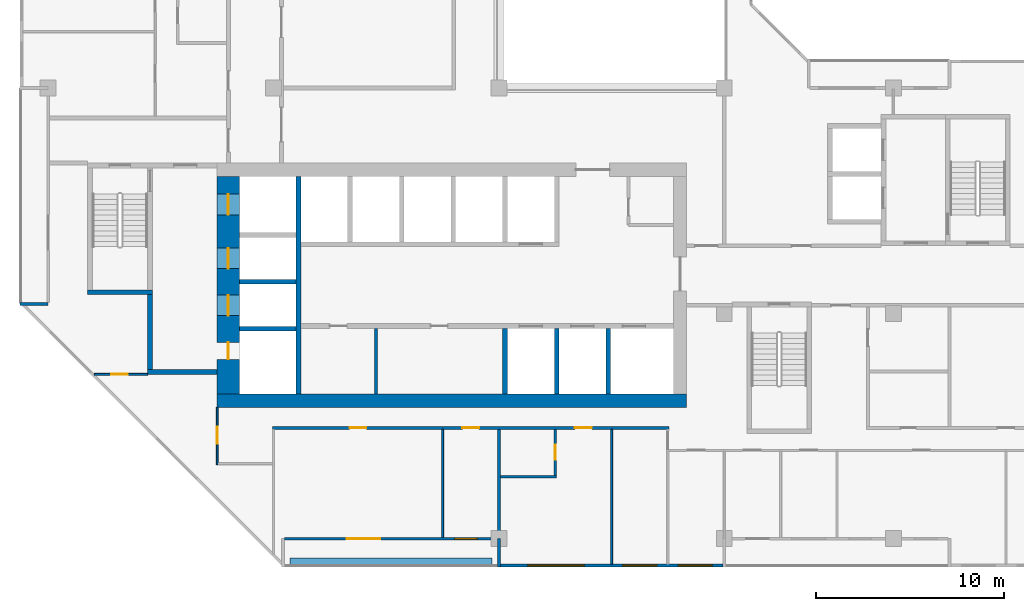
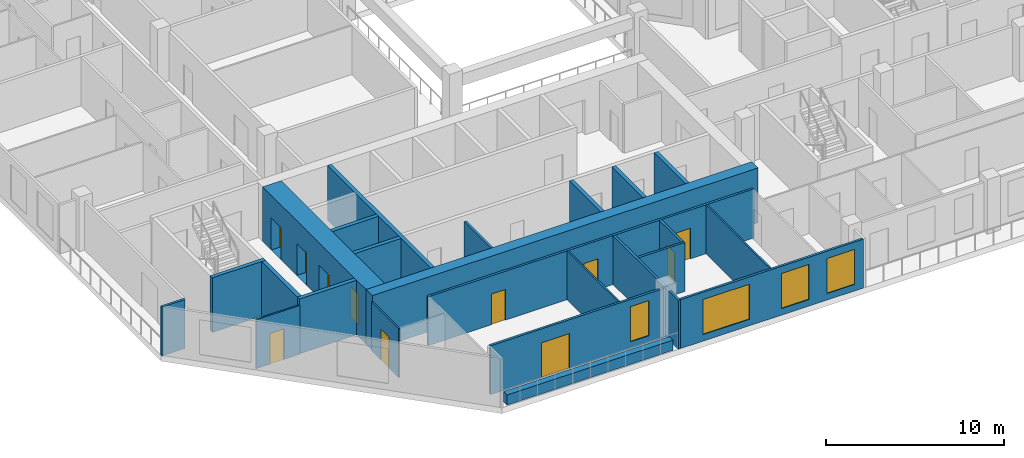
# One storey, part 4 of 14: 25 walls, 11 doors, 4 windows, 15 openings.
"""IFC4 building model written with IfcOpenShell, lengths in metres."""

from ifc_helpers import new_model, si_unit, direction, frame, frame_2d, origin, place, context, subcontext, project, spatial, rectangle, extrude, material, layer, layer_set, type_object, element, fill, save


model = new_model("IFC4")

# Units and contexts
model_context = context("Model", 3, precision=1e-05, world=origin(), true_north=direction((0.0, 1.0)))
body_context = subcontext(model_context, "Body", "Model", "MODEL_VIEW")
ifc_project = project(units=[si_unit("LENGTHUNIT", "METRE"), si_unit("AREAUNIT", "SQUARE_METRE"), si_unit("VOLUMEUNIT", "CUBIC_METRE"), si_unit("PLANEANGLEUNIT", "RADIAN"), si_unit("MASSUNIT", "GRAM", prefix="KILO")], contexts=[model_context])

# Site, building, storey
site_placement = place(None, origin())
site = spatial("IfcSite", under=ifc_project, at=site_placement, CompositionType="ELEMENT")
building_placement = place(site_placement, origin())
building = spatial("IfcBuilding", under=site, at=building_placement, Name="Chenar Terraces", CompositionType="ELEMENT")
storey_placement = place(building_placement, frame((0.0, 0.0, 230.39990234375)))
storey = spatial("IfcBuildingStorey", under=building, at=storey_placement, Name="L54", CompositionType="ELEMENT", Elevation=230.39990234375)

# Wall
ifc_material_1 = material(Name="Gypsum board on steel studs", Category="steel")
ifc_layer_1 = layer(ifc_material_1, 0.14990234375)
ifc_layer_set_1 = layer_set([ifc_layer_1], Name="Gypsum board on steel studs")
wall_type_1 = type_object("IfcWallType", Name="Core partition 150 gypsum board", PredefinedType="PARTITIONING", material=ifc_layer_set_1)
wall_1_placement = place(storey_placement, frame((17.449951171875, 7.699951171875, 0.0), z_axis=(0.0, 0.0, 1.0), x_axis=(0.0, 1.0, 0.0)))
element("IfcWall", 1, at=wall_1_placement, inside=storey, type_object=wall_type_1, Name="Core partition CP1 freed bay wall", PredefinedType="PARTITIONING", context=body_context, shape_type="SweptSolid", body=[
    extrude(rectangle(XDim=3.5, YDim=0.14990234375, at=frame_2d((1.75, 0.0))), origin(), (0.0, 0.0, 1.0), 3.35009765625),
])

# Wall, openings, doors
ifc_material_2 = material(Name="Concrete C60/75", Category="concrete")
ifc_layer_2 = layer(ifc_material_2, 1.199951171875)
ifc_layer_set_2 = layer_set([ifc_layer_2], Name="Concrete C60/75")
wall_type_2 = type_object("IfcWallType", Name="Core wall 1200 Concrete C60/75", PredefinedType="SHEAR", material=ifc_layer_set_2)
wall_2_placement = place(storey_placement, frame((9.60009765625, 7.699951171875, 0.0), z_axis=(0.0, 0.0, 1.0), x_axis=(0.0, 1.0, 0.0)))
wall_2 = element("IfcWall", 2, at=wall_2_placement, inside=storey, type_object=wall_type_2, Name="Core wall W L54", PredefinedType="SHEAR", context=body_context, shape_type="SweptSolid", body=[
    extrude(rectangle(XDim=11.60009765625, YDim=1.199951171875, at=frame_2d((5.800048828125, 0.0))), origin(), (0.0, 0.0, 1.0), 3.75),
])
opening_1_placement = place(wall_2_placement, frame((4.175048828125, 0.0, 0.0)))
opening_1 = element("IfcOpeningElement", 3, at=opening_1_placement, cuts=wall_2, Name="Opening DL54-LD5", PredefinedType="OPENING", context=body_context, shape_type="SweptSolid", body=[
    extrude(rectangle(XDim=1.10009765625, YDim=2.199951171875, at=frame_2d((0.550048828125, 1.10009765625))), frame((0.0, 0.60986328125, 0.0), z_axis=(0.0, -1.0, 0.0), x_axis=(1.0, 0.0, 0.0)), (0.0, 0.0, 1.0), 1.219970703125),
])
opening_2_placement = place(wall_2_placement, frame((6.675048828125, 0.0, 0.0)))
opening_2 = element("IfcOpeningElement", 4, at=opening_2_placement, cuts=wall_2, Name="Opening DL54-LD6", PredefinedType="OPENING", context=body_context, shape_type="SweptSolid", body=[
    extrude(rectangle(XDim=1.10009765625, YDim=2.199951171875, at=frame_2d((0.550048828125, 1.10009765625))), frame((0.0, 0.60986328125, 0.0), z_axis=(0.0, -1.0, 0.0), x_axis=(1.0, 0.0, 0.0)), (0.0, 0.0, 1.0), 1.219970703125),
])
opening_3_placement = place(wall_2_placement, frame((9.550048828125, 0.0, 0.0)))
opening_3 = element("IfcOpeningElement", 5, at=opening_3_placement, cuts=wall_2, Name="Opening DL54-LD7", PredefinedType="OPENING", context=body_context, shape_type="SweptSolid", body=[
    extrude(rectangle(XDim=1.10009765625, YDim=2.199951171875, at=frame_2d((0.550048828125, 1.10009765625))), frame((0.0, 0.60986328125, 0.0), z_axis=(0.0, -1.0, 0.0), x_axis=(1.0, 0.0, 0.0)), (0.0, 0.0, 1.0), 1.219970703125),
])
opening_4_placement = place(wall_2_placement, frame((1.85009765625, 0.0, 0.0)))
opening_4 = element("IfcOpeningElement", 6, at=opening_4_placement, cuts=wall_2, Name="Opening DL54-C4", PredefinedType="OPENING", context=body_context, shape_type="SweptSolid", body=[
    extrude(rectangle(XDim=0.89990234375, YDim=2.10009765625, at=frame_2d((0.449951171875, 1.050048828125))), frame((0.0, 0.60986328125, 0.0), z_axis=(0.0, -1.0, 0.0), x_axis=(1.0, 0.0, 0.0)), (0.0, 0.0, 1.0), 1.219970703125),
])
ifc_material_3 = material(Name="Stainless steel", Category="steel")
door_type_1 = type_object("IfcDoorType", Name="Lift landing door 1100 x 2200 sliding", OperationType="DOUBLE_DOOR_SLIDING", PredefinedType="DOOR", material=ifc_material_3)
door_1_placement = place(opening_1_placement, origin())
door_1 = element("IfcDoor", 7, at=door_1_placement, inside=storey, type_object=door_type_1, Name="Landing door S1", OperationType="DOUBLE_DOOR_SLIDING", OverallHeight=2.199951171875, OverallWidth=1.10009765625, PredefinedType="DOOR", context=body_context, shape_type="SweptSolid", body=[
    extrude(rectangle(XDim=1.10009765625, YDim=2.199951171875, at=frame_2d((0.550048828125, 1.10009765625))), frame((0.0, 0.02490234375, 0.0), z_axis=(0.0, -1.0, 0.0), x_axis=(1.0, 0.0, 0.0)), (0.0, 0.0, 1.0), 0.050048828125),
])
fill(opening_1, door_1)
door_2_placement = place(opening_2_placement, origin())
door_2 = element("IfcDoor", 8, at=door_2_placement, inside=storey, type_object=door_type_1, Name="Landing door F1", OperationType="DOUBLE_DOOR_SLIDING", OverallHeight=2.199951171875, OverallWidth=1.10009765625, PredefinedType="DOOR", context=body_context, shape_type="SweptSolid", body=[
    extrude(rectangle(XDim=1.10009765625, YDim=2.199951171875, at=frame_2d((0.550048828125, 1.10009765625))), frame((0.0, 0.02490234375, 0.0), z_axis=(0.0, -1.0, 0.0), x_axis=(1.0, 0.0, 0.0)), (0.0, 0.0, 1.0), 0.050048828125),
])
fill(opening_2, door_2)
door_3_placement = place(opening_3_placement, origin())
door_3 = element("IfcDoor", 9, at=door_3_placement, inside=storey, type_object=door_type_1, Name="Landing door F2", OperationType="DOUBLE_DOOR_SLIDING", OverallHeight=2.199951171875, OverallWidth=1.10009765625, PredefinedType="DOOR", context=body_context, shape_type="SweptSolid", body=[
    extrude(rectangle(XDim=1.10009765625, YDim=2.199951171875, at=frame_2d((0.550048828125, 1.10009765625))), frame((0.0, 0.02490234375, 0.0), z_axis=(0.0, -1.0, 0.0), x_axis=(1.0, 0.0, 0.0)), (0.0, 0.0, 1.0), 0.050048828125),
])
fill(opening_3, door_3)
ifc_material_4 = material(Name="Steel-framed fire-resisting door leaf", Category="steel")
door_type_2 = type_object("IfcDoorType", Name="Riser fire door FD60 900 x 2100", OperationType="SINGLE_SWING_LEFT", PredefinedType="DOOR", material=ifc_material_4)
door_4_placement = place(opening_4_placement, frame((0.89990234375, 0.0, 0.0), z_axis=(0.0, 0.0, 1.0), x_axis=(-1.0, 0.0, 0.0)))
door_4 = element("IfcDoor", 10, at=door_4_placement, inside=storey, type_object=door_type_2, Name="Riser door DL54-C4", OperationType="SINGLE_SWING_LEFT", OverallHeight=2.10009765625, OverallWidth=0.89990234375, PredefinedType="DOOR", context=body_context, shape_type="SweptSolid", body=[
    extrude(rectangle(XDim=0.89990234375, YDim=2.10009765625, at=frame_2d((0.449951171875, 1.050048828125))), frame((0.0, 0.02490234375, 0.0), z_axis=(0.0, -1.0, 0.0), x_axis=(1.0, 0.0, 0.0)), (0.0, 0.0, 1.0), 0.050048828125),
])
fill(opening_4, door_4)

# Walls
ifc_material_5 = material(Name="Concrete C60/75", Category="concrete")
ifc_layer_3 = layer(ifc_material_5, 0.25)
ifc_layer_set_3 = layer_set([ifc_layer_3], Name="Concrete C60/75")
wall_type_3 = type_object("IfcWallType", Name="Core wall 250 Concrete C60/75", PredefinedType="SHEAR", material=ifc_layer_set_3)
wall_3_placement = place(storey_placement, frame((13.324951171875, 7.699951171875, 0.0), z_axis=(0.0, 0.0, 1.0), x_axis=(0.0, 1.0, 0.0)))
element("IfcWall", 11, at=wall_3_placement, inside=storey, type_object=wall_type_3, Name="Core wall WI L54", PredefinedType="SHEAR", context=body_context, shape_type="SweptSolid", body=[
    extrude(rectangle(XDim=11.60009765625, YDim=0.25, at=frame_2d((5.800048828125, 0.0))), origin(), (0.0, 0.0, 1.0), 3.75),
])
for number, where, z_axis, x_axis, name in (
    (12, (10.199951171875, 11.175048828125, 0.0), (0.0, 0.0, 1.0), (1.0, 0.0, 0.0), "Core wall HW0 L54"),
    (13, (10.199951171875, 13.675048828125, 0.0), (0.0, 0.0, 1.0), (1.0, 0.0, 0.0), "Core wall HW1 L54"),
):
    element("IfcWall", number, at=place(storey_placement, frame(where, z_axis=z_axis, x_axis=x_axis)), inside=storey, type_object=wall_type_3, Name=name, PredefinedType="SHEAR", context=body_context, shape_type="SweptSolid", body=[
        extrude(rectangle(XDim=3.0, YDim=0.25, at=frame_2d((1.5, 0.0))), origin(), (0.0, 0.0, 1.0), 3.75),
    ])
for number, where, z_axis, x_axis, name in (
    (14, (24.324951171875, 7.699951171875, 0.0), (0.0, 0.0, 1.0), (0.0, 1.0, 0.0), "Core wall SS3 L54"),
    (15, (27.074951171875, 7.699951171875, 0.0), (0.0, 0.0, 1.0), (0.0, 1.0, 0.0), "Core wall SS4 L54"),
    (16, (29.824951171875, 7.699951171875, 0.0), (0.0, 0.0, 1.0), (0.0, 1.0, 0.0), "Core wall SS5 L54"),
):
    element("IfcWall", number, at=place(storey_placement, frame(where, z_axis=z_axis, x_axis=x_axis)), inside=storey, type_object=wall_type_3, Name=name, PredefinedType="SHEAR", context=body_context, shape_type="SweptSolid", body=[
        extrude(rectangle(XDim=3.5, YDim=0.25, at=frame_2d((1.75, 0.0))), origin(), (0.0, 0.0, 1.0), 3.75),
    ])
wall_4_placement = place(storey_placement, frame((2.10009765625, 13.125, 0.0), z_axis=(0.0, 0.0, 1.0), x_axis=(1.0, 0.0, 0.0)))
element("IfcWall", 17, at=wall_4_placement, inside=storey, type_object=wall_type_3, Name="Core wall ST1_S L54", PredefinedType="SHEAR", context=body_context, shape_type="SweptSolid", body=[
    extrude(rectangle(XDim=3.449951171875, YDim=0.25, at=frame_2d((1.72509765625, 0.0))), origin(), (0.0, 0.0, 1.0), 3.75),
])
wall_5_placement = place(storey_placement, frame((5.300048828125, 8.875, 0.0), z_axis=(0.0, 0.0, 1.0), x_axis=(1.0, 0.0, 0.0)))
element("IfcWall", 18, at=wall_5_placement, inside=storey, type_object=wall_type_3, Name="Core wall FFL_S L54", PredefinedType="SHEAR", context=body_context, shape_type="SweptSolid", body=[
    extrude(rectangle(XDim=3.699951171875, YDim=0.25, at=frame_2d((1.85009765625, 0.0))), origin(), (0.0, 0.0, 1.0), 3.75),
])
wall_6_placement = place(storey_placement, frame((5.425048828125, 9.0, 0.0), z_axis=(0.0, 0.0, 1.0), x_axis=(0.0, 1.0, 0.0)))
element("IfcWall", 19, at=wall_6_placement, inside=storey, type_object=wall_type_3, Name="Core wall FFL_W L54", PredefinedType="SHEAR", context=body_context, shape_type="SweptSolid", body=[
    extrude(rectangle(XDim=4.0, YDim=0.25, at=frame_2d((2.0, 0.0))), origin(), (0.0, 0.0, 1.0), 3.75),
])
ifc_material_6 = material(Name="Concrete C60/75", Category="concrete")
ifc_layer_4 = layer(ifc_material_6, 0.699951171875)
ifc_layer_set_4 = layer_set([ifc_layer_4], Name="Concrete C60/75")
wall_type_4 = type_object("IfcWallType", Name="Core wall 700 Concrete C60/75", PredefinedType="SHEAR", material=ifc_layer_set_4)
wall_7_placement = place(storey_placement, frame((9.0, 7.35009765625, 0.0), z_axis=(0.0, 0.0, 1.0), x_axis=(1.0, 0.0, 0.0)))
element("IfcWall", 20, at=wall_7_placement, inside=storey, type_object=wall_type_4, Name="Core wall S L54", PredefinedType="SHEAR", context=body_context, shape_type="SweptSolid", body=[
    extrude(rectangle(XDim=25.0, YDim=0.699951171875, at=frame_2d((12.5, 0.0))), origin(), (0.0, 0.0, 1.0), 3.75),
])

# Wall, openings, windows
ifc_material_7 = material(Name="Aluminium framed glazing", Category="aluminium")
ifc_layer_5 = layer(ifc_material_7, 0.14990234375)
ifc_layer_set_5 = layer_set([ifc_layer_5], Name="Aluminium framed glazing")
wall_type_5 = type_object("IfcWallType", Name="Glazed flush facade wall 150", PredefinedType="SOLIDWALL", material=ifc_layer_set_5)
wall_8_placement = place(storey_placement, frame((24.074951171875, -1.425048828125, 0.0), z_axis=(0.0, 0.0, 1.0), x_axis=(1.0, 0.0, 0.0)))
wall_8 = element("IfcWall", 21, at=wall_8_placement, inside=storey, type_object=wall_type_5, Name="Glazed flush facade wall", PredefinedType="SOLIDWALL", context=body_context, shape_type="SweptSolid", body=[
    extrude(rectangle(XDim=11.85009765625, YDim=0.14990234375, at=frame_2d((5.925048828125, 0.0))), origin(), (0.0, 0.0, 1.0), 3.35009765625),
])
opening_5_placement = place(wall_8_placement, frame((1.46240234375, 0.0, 0.449951171875)))
opening_5 = element("IfcOpeningElement", 22, at=opening_5_placement, cuts=wall_8, Name="Opening W300x240", PredefinedType="OPENING", context=body_context, shape_type="SweptSolid", body=[
    extrude(rectangle(XDim=3.0, YDim=2.39990234375, at=frame_2d((1.5, 1.199951171875))), frame((0.0, 0.0849609375, 0.0), z_axis=(0.0, -1.0, 0.0), x_axis=(1.0, 0.0, 0.0)), (0.0, 0.0, 1.0), 0.169921875),
])
opening_6_placement = place(wall_8_placement, frame((6.52490234375, 0.0, 0.449951171875)))
opening_6 = element("IfcOpeningElement", 23, at=opening_6_placement, cuts=wall_8, Name="Opening W180x240", PredefinedType="OPENING", context=body_context, shape_type="SweptSolid", body=[
    extrude(rectangle(XDim=1.800048828125, YDim=2.39990234375, at=frame_2d((0.89990234375, 1.199951171875))), frame((0.0, 0.0849609375, 0.0), z_axis=(0.0, -1.0, 0.0), x_axis=(1.0, 0.0, 0.0)), (0.0, 0.0, 1.0), 0.169921875),
])
opening_7_placement = place(wall_8_placement, frame((9.487548828125, 0.0, 0.449951171875)))
opening_7 = element("IfcOpeningElement", 24, at=opening_7_placement, cuts=wall_8, Name="Opening W180x240", PredefinedType="OPENING", context=body_context, shape_type="SweptSolid", body=[
    extrude(rectangle(XDim=1.800048828125, YDim=2.39990234375, at=frame_2d((0.89990234375, 1.199951171875))), frame((0.0, 0.0849609375, 0.0), z_axis=(0.0, -1.0, 0.0), x_axis=(1.0, 0.0, 0.0)), (0.0, 0.0, 1.0), 0.169921875),
])
ifc_material_8 = material(Name="Low emissivity double glazing, aluminium frame", Category="aluminium")
window_type_1 = type_object("IfcWindowType", Name="Fixed light 1800 x 2400", PartitioningType="SINGLE_PANEL", PredefinedType="WINDOW", material=ifc_material_8)
window_1_placement = place(opening_6_placement, origin())
window_1 = element("IfcWindow", 25, at=window_1_placement, inside=storey, type_object=window_type_1, Name="Window", OverallHeight=2.39990234375, OverallWidth=1.800048828125, PartitioningType="SINGLE_PANEL", PredefinedType="WINDOW", context=body_context, shape_type="SweptSolid", body=[
    extrude(rectangle(XDim=1.800048828125, YDim=2.39990234375, at=frame_2d((0.89990234375, 1.199951171875))), frame((0.0, 0.030029296875, 0.0), z_axis=(0.0, -1.0, 0.0), x_axis=(1.0, 0.0, 0.0)), (0.0, 0.0, 1.0), 0.06005859375),
])
fill(opening_6, window_1)
window_2_placement = place(opening_7_placement, origin())
window_2 = element("IfcWindow", 26, at=window_2_placement, inside=storey, type_object=window_type_1, Name="Window", OverallHeight=2.39990234375, OverallWidth=1.800048828125, PartitioningType="SINGLE_PANEL", PredefinedType="WINDOW", context=body_context, shape_type="SweptSolid", body=[
    extrude(rectangle(XDim=1.800048828125, YDim=2.39990234375, at=frame_2d((0.89990234375, 1.199951171875))), frame((0.0, 0.030029296875, 0.0), z_axis=(0.0, -1.0, 0.0), x_axis=(1.0, 0.0, 0.0)), (0.0, 0.0, 1.0), 0.06005859375),
])
fill(opening_7, window_2)
ifc_material_9 = material(Name="Low emissivity double glazing, aluminium frame", Category="aluminium")
window_type_2 = type_object("IfcWindowType", Name="Fixed light 3000 x 2400", PartitioningType="SINGLE_PANEL", PredefinedType="WINDOW", material=ifc_material_9)
window_3_placement = place(opening_5_placement, origin())
window_3 = element("IfcWindow", 27, at=window_3_placement, inside=storey, type_object=window_type_2, Name="Window", OverallHeight=2.39990234375, OverallWidth=3.0, PartitioningType="SINGLE_PANEL", PredefinedType="WINDOW", context=body_context, shape_type="SweptSolid", body=[
    extrude(rectangle(XDim=3.0, YDim=2.39990234375, at=frame_2d((1.5, 1.199951171875))), frame((0.0, 0.030029296875, 0.0), z_axis=(0.0, -1.0, 0.0), x_axis=(1.0, 0.0, 0.0)), (0.0, 0.0, 1.0), 0.06005859375),
])
fill(opening_5, window_3)

# Wall, openings, window, door
ifc_material_10 = material(Name="Aluminium framed glazing", Category="aluminium")
ifc_layer_6 = layer(ifc_material_10, 0.14990234375)
ifc_layer_set_6 = layer_set([ifc_layer_6], Name="Aluminium framed glazing")
wall_type_6 = type_object("IfcWallType", Name="Glazed loggia back wall 150", PredefinedType="SOLIDWALL", material=ifc_layer_set_6)
wall_9_placement = place(storey_placement, frame((12.574951171875, 0.0, 0.0), z_axis=(0.0, 0.0, 1.0), x_axis=(1.0, 0.0, 0.0)))
wall_9 = element("IfcWall", 28, at=wall_9_placement, inside=storey, type_object=wall_type_6, Name="Glazed loggia back wall", PredefinedType="SOLIDWALL", context=body_context, shape_type="SweptSolid", body=[
    extrude(rectangle(XDim=11.35009765625, YDim=0.14990234375, at=frame_2d((5.675048828125, 0.0))), origin(), (0.0, 0.0, 1.0), 3.35009765625),
])
opening_8_placement = place(wall_9_placement, frame((3.3125, 0.0, 0.0)))
opening_8 = element("IfcOpeningElement", 29, at=opening_8_placement, cuts=wall_9, Name="Opening DL54-G5", PredefinedType="OPENING", context=body_context, shape_type="SweptSolid", body=[
    extrude(rectangle(XDim=1.800048828125, YDim=2.39990234375, at=frame_2d((0.89990234375, 1.199951171875))), frame((0.0, 0.0849609375, 0.0), z_axis=(0.0, -1.0, 0.0), x_axis=(1.0, 0.0, 0.0)), (0.0, 0.0, 1.0), 0.169921875),
])
opening_9_placement = place(wall_9_placement, frame((9.0625, 0.0, 0.449951171875)))
opening_9 = element("IfcOpeningElement", 30, at=opening_9_placement, cuts=wall_9, Name="Opening W120x240", PredefinedType="OPENING", context=body_context, shape_type="SweptSolid", body=[
    extrude(rectangle(XDim=1.199951171875, YDim=2.39990234375, at=frame_2d((0.60009765625, 1.199951171875))), frame((0.0, 0.0849609375, 0.0), z_axis=(0.0, -1.0, 0.0), x_axis=(1.0, 0.0, 0.0)), (0.0, 0.0, 1.0), 0.169921875),
])
ifc_material_11 = material(Name="Low emissivity double glazing, aluminium frame", Category="aluminium")
window_type_3 = type_object("IfcWindowType", Name="Fixed light 1200 x 2400", PartitioningType="SINGLE_PANEL", PredefinedType="WINDOW", material=ifc_material_11)
window_4_placement = place(opening_9_placement, origin())
window_4 = element("IfcWindow", 31, at=window_4_placement, inside=storey, type_object=window_type_3, Name="Window", OverallHeight=2.39990234375, OverallWidth=1.199951171875, PartitioningType="SINGLE_PANEL", PredefinedType="WINDOW", context=body_context, shape_type="SweptSolid", body=[
    extrude(rectangle(XDim=1.199951171875, YDim=2.39990234375, at=frame_2d((0.60009765625, 1.199951171875))), frame((0.0, 0.030029296875, 0.0), z_axis=(0.0, -1.0, 0.0), x_axis=(1.0, 0.0, 0.0)), (0.0, 0.0, 1.0), 0.06005859375),
])
fill(opening_9, window_4)
ifc_material_12 = material(Name="Low emissivity double glazing, aluminium frame", Category="aluminium")
door_type_3 = type_object("IfcDoorType", Name="Loggia glazed double door 1800 x 2400", OperationType="DOUBLE_DOOR_SINGLE_SWING", PredefinedType="DOOR", material=ifc_material_12)
door_5_placement = place(opening_8_placement, frame((1.800048828125, 0.0, 0.0), z_axis=(0.0, 0.0, 1.0), x_axis=(-1.0, 0.0, 0.0)))
door_5 = element("IfcDoor", 32, at=door_5_placement, inside=storey, type_object=door_type_3, Name="Loggia glazed door", OperationType="DOUBLE_DOOR_SINGLE_SWING", OverallHeight=2.39990234375, OverallWidth=1.800048828125, PredefinedType="DOOR", context=body_context, shape_type="SweptSolid", body=[
    extrude(rectangle(XDim=1.800048828125, YDim=2.39990234375, at=frame_2d((0.89990234375, 1.199951171875))), frame((0.0, 0.02490234375, 0.0), z_axis=(0.0, -1.0, 0.0), x_axis=(1.0, 0.0, 0.0)), (0.0, 0.0, 1.0), 0.050048828125),
])
fill(opening_8, door_5)

# Wall, opening, door
ifc_material_13 = material(Name="Gypsum board on steel studs", Category="steel")
ifc_layer_7 = layer(ifc_material_13, 0.10009765625)
ifc_layer_set_7 = layer_set([ifc_layer_7], Name="Gypsum board on steel studs")
wall_type_7 = type_object("IfcWallType", Name="Gypsum partition 100", PredefinedType="PARTITIONING", material=ifc_layer_set_7)
wall_10_placement = place(storey_placement, frame((2.4609375, 8.75, 0.0), z_axis=(0.0, 0.0, 1.0), x_axis=(1.0, 0.0, 0.0)))
wall_10 = element("IfcWall", 33, at=wall_10_placement, inside=storey, type_object=wall_type_7, Name="Partition L54-012", PredefinedType="PARTITIONING", context=body_context, shape_type="SweptSolid", body=[
    extrude(rectangle(XDim=2.839111328125, YDim=0.10009765625, at=frame_2d((1.41943359375, 0.0))), origin(), (0.0, 0.0, 1.0), 3.35009765625),
])
opening_10_placement = place(wall_10_placement, frame((0.888916015625, 0.0, 0.0)))
opening_10 = element("IfcOpeningElement", 34, at=opening_10_placement, cuts=wall_10, Name="Opening DL54-52", PredefinedType="OPENING", context=body_context, shape_type="SweptSolid", body=[
    extrude(rectangle(XDim=0.89990234375, YDim=2.10009765625, at=frame_2d((0.449951171875, 1.050048828125))), frame((0.0, 0.06005859375, 0.0), z_axis=(0.0, -1.0, 0.0), x_axis=(1.0, 0.0, 0.0)), (0.0, 0.0, 1.0), 0.1201171875),
])
ifc_material_14 = material(Name="Veneered timber door leaf", Category="wood")
door_type_4 = type_object("IfcDoorType", Name="Door 900 x 2100", OperationType="SINGLE_SWING_LEFT", PredefinedType="DOOR", material=ifc_material_14)
door_6_placement = place(opening_10_placement, frame((0.89990234375, 0.0, 0.0), z_axis=(0.0, 0.0, 1.0), x_axis=(-1.0, 0.0, 0.0)))
door_6 = element("IfcDoor", 35, at=door_6_placement, inside=storey, type_object=door_type_4, Name="Door DL54-52", OperationType="SINGLE_SWING_RIGHT", OverallHeight=2.10009765625, OverallWidth=0.89990234375, PredefinedType="DOOR", context=body_context, shape_type="SweptSolid", body=[
    extrude(rectangle(XDim=0.89990234375, YDim=2.10009765625, at=frame_2d((0.449951171875, 1.050048828125))), frame((0.0, 0.02490234375, 0.0), z_axis=(0.0, -1.0, 0.0), x_axis=(1.0, 0.0, 0.0)), (0.0, 0.0, 1.0), 0.050048828125),
])
fill(opening_10, door_6)

wall_11_placement = place(storey_placement, frame((9.0, 3.949951171875, 0.0), z_axis=(0.0, 0.0, 1.0), x_axis=(0.0, 1.0, 0.0)))
wall_11 = element("IfcWall", 36, at=wall_11_placement, inside=storey, type_object=wall_type_7, Name="Partition L54-027", PredefinedType="PARTITIONING", context=body_context, shape_type="SweptSolid", body=[
    extrude(rectangle(XDim=3.050048828125, YDim=0.10009765625, at=frame_2d((1.52490234375, 0.0))), origin(), (0.0, 0.0, 1.0), 3.35009765625),
])
opening_11_placement = place(wall_11_placement, frame((1.10009765625, 0.0, 0.0)))
opening_11 = element("IfcOpeningElement", 37, at=opening_11_placement, cuts=wall_11, Name="Opening DL54-51", PredefinedType="OPENING", context=body_context, shape_type="SweptSolid", body=[
    extrude(rectangle(XDim=0.89990234375, YDim=2.10009765625, at=frame_2d((0.449951171875, 1.050048828125))), frame((0.0, 0.06005859375, 0.0), z_axis=(0.0, -1.0, 0.0), x_axis=(1.0, 0.0, 0.0)), (0.0, 0.0, 1.0), 0.1201171875),
])
door_7_placement = place(opening_11_placement, origin())
door_7 = element("IfcDoor", 38, at=door_7_placement, inside=storey, type_object=door_type_4, Name="Door DL54-51", OperationType="SINGLE_SWING_LEFT", OverallHeight=2.10009765625, OverallWidth=0.89990234375, PredefinedType="DOOR", context=body_context, shape_type="SweptSolid", body=[
    extrude(rectangle(XDim=0.89990234375, YDim=2.10009765625, at=frame_2d((0.449951171875, 1.050048828125))), frame((0.0, 0.02490234375, 0.0), z_axis=(0.0, -1.0, 0.0), x_axis=(1.0, 0.0, 0.0)), (0.0, 0.0, 1.0), 0.050048828125),
])
fill(opening_11, door_7)

# Walls
wall_12_placement = place(storey_placement, frame((21.0, 0.073974609375, 0.0), z_axis=(0.0, 0.0, 1.0), x_axis=(0.0, 1.0, 0.0)))
element("IfcWall", 39, at=wall_12_placement, inside=storey, type_object=wall_type_7, Name="Partition L54-050", PredefinedType="PARTITIONING", context=body_context, shape_type="SweptSolid", body=[
    extrude(rectangle(XDim=5.7509765625, YDim=0.10009765625, at=frame_2d((2.87548828125, 0.0))), origin(), (0.0, 0.0, 1.0), 3.35009765625),
])
wall_13_placement = place(storey_placement, frame((30.0, -1.35107421875, 0.0), z_axis=(0.0, 0.0, 1.0), x_axis=(0.0, 1.0, 0.0)))
element("IfcWall", 40, at=wall_13_placement, inside=storey, type_object=wall_type_7, Name="Partition L54-055", PredefinedType="PARTITIONING", context=body_context, shape_type="SweptSolid", body=[
    extrude(rectangle(XDim=7.176025390625, YDim=0.10009765625, at=frame_2d((3.587890625, 0.0))), origin(), (0.0, 0.0, 1.0), 3.35009765625),
])
ifc_material_15 = material(Name="Terracotta cladding on insulated backing", Category="masonry")
ifc_layer_8 = layer(ifc_material_15, 0.14990234375)
ifc_layer_set_8 = layer_set([ifc_layer_8], Name="Terracotta cladding on insulated backing")
wall_type_8 = type_object("IfcWallType", Name="Loggia return wall 150", PredefinedType="SOLIDWALL", material=ifc_layer_set_8)
for number, where, z_axis, x_axis, name in (
    (41, (-1.5, 12.5, 0.0), (0.0, 0.0, 1.0), (1.0, 0.0, 0.0), "Loggia return wall"),
    (42, (24.0, -1.5, 0.0), (0.0, 0.0, 1.0), (0.0, 1.0, 0.0), "Loggia return wall"),
):
    element("IfcWall", number, at=place(storey_placement, frame(where, z_axis=z_axis, x_axis=x_axis)), inside=storey, type_object=wall_type_8, Name=name, PredefinedType="SOLIDWALL", context=body_context, shape_type="SweptSolid", body=[
        extrude(rectangle(XDim=1.5, YDim=0.14990234375, at=frame_2d((0.75, 0.0))), origin(), (0.0, 0.0, 1.0), 3.35009765625),
    ])
ifc_material_16 = material(Name="GRP planter trough")
ifc_layer_9 = layer(ifc_material_16, 0.39990234375)
ifc_layer_set_9 = layer_set([ifc_layer_9], Name="GRP planter trough")
wall_type_9 = type_object("IfcWallType", Name="Vertical greenery planter 400", PredefinedType="SOLIDWALL", material=ifc_layer_set_9)
wall_14_placement = place(storey_placement, frame((12.875, -1.22900390625, 0.0), z_axis=(0.0, 0.0, 1.0), x_axis=(1.0, 0.0, 0.0)))
element("IfcWall", 43, at=wall_14_placement, inside=storey, type_object=wall_type_9, Name="Vertical greenery planter", PredefinedType="SOLIDWALL", context=body_context, shape_type="SweptSolid", body=[
    extrude(rectangle(XDim=10.75, YDim=0.39990234375, at=frame_2d((5.375, 0.0))), origin(), (0.0, 0.0, 1.0), 0.7001953125),
])

# Wall, openings, doors
ifc_material_17 = material(Name="Moisture-resistant gypsum board on steel studs", Category="steel")
ifc_layer_10 = layer(ifc_material_17, 0.14990234375)
ifc_layer_set_10 = layer_set([ifc_layer_10], Name="Moisture-resistant gypsum board on steel studs")
wall_type_10 = type_object("IfcWallType", Name="Wet-room partition 150", PredefinedType="PARTITIONING", material=ifc_layer_set_10)
wall_15_placement = place(storey_placement, frame((11.949951171875, 5.89990234375, 0.0), z_axis=(0.0, 0.0, 1.0), x_axis=(1.0, 0.0, 0.0)))
wall_15 = element("IfcWall", 44, at=wall_15_placement, inside=storey, type_object=wall_type_10, Name="Partition L54-030", PredefinedType="PARTITIONING", context=body_context, shape_type="SweptSolid", body=[
    extrude(rectangle(XDim=21.10009765625, YDim=0.14990234375, at=frame_2d((10.550048828125, 0.0))), origin(), (0.0, 0.0, 1.0), 3.35009765625),
])
opening_12_placement = place(wall_15_placement, frame((10.10009765625, 0.0, 0.0)))
opening_12 = element("IfcOpeningElement", 45, at=opening_12_placement, cuts=wall_15, Name="Opening DL54-45", PredefinedType="OPENING", context=body_context, shape_type="SweptSolid", body=[
    extrude(rectangle(XDim=0.89990234375, YDim=2.10009765625, at=frame_2d((0.449951171875, 1.050048828125))), frame((0.0, 0.0849609375, 0.0), z_axis=(0.0, -1.0, 0.0), x_axis=(1.0, 0.0, 0.0)), (0.0, 0.0, 1.0), 0.169921875),
])
opening_13_placement = place(wall_15_placement, frame((16.10009765625, 0.0, 0.0)))
opening_13 = element("IfcOpeningElement", 46, at=opening_13_placement, cuts=wall_15, Name="Opening DL54-53", PredefinedType="OPENING", context=body_context, shape_type="SweptSolid", body=[
    extrude(rectangle(XDim=0.89990234375, YDim=2.10009765625, at=frame_2d((0.449951171875, 1.050048828125))), frame((0.0, 0.0849609375, 0.0), z_axis=(0.0, -1.0, 0.0), x_axis=(1.0, 0.0, 0.0)), (0.0, 0.0, 1.0), 0.169921875),
])
opening_14_placement = place(wall_15_placement, frame((4.10009765625, 0.0, 0.0)))
opening_14 = element("IfcOpeningElement", 47, at=opening_14_placement, cuts=wall_15, Name="Opening DL54-58", PredefinedType="OPENING", context=body_context, shape_type="SweptSolid", body=[
    extrude(rectangle(XDim=0.89990234375, YDim=2.10009765625, at=frame_2d((0.449951171875, 1.050048828125))), frame((0.0, 0.0849609375, 0.0), z_axis=(0.0, -1.0, 0.0), x_axis=(1.0, 0.0, 0.0)), (0.0, 0.0, 1.0), 0.169921875),
])
door_8_placement = place(opening_12_placement, frame((0.89990234375, 0.0, 0.0), z_axis=(0.0, 0.0, 1.0), x_axis=(-1.0, 0.0, 0.0)))
door_8 = element("IfcDoor", 48, at=door_8_placement, inside=storey, type_object=door_type_4, Name="Door DL54-45", OperationType="SINGLE_SWING_RIGHT", OverallHeight=2.10009765625, OverallWidth=0.89990234375, PredefinedType="DOOR", context=body_context, shape_type="SweptSolid", body=[
    extrude(rectangle(XDim=0.89990234375, YDim=2.10009765625, at=frame_2d((0.449951171875, 1.050048828125))), frame((0.0, 0.02490234375, 0.0), z_axis=(0.0, -1.0, 0.0), x_axis=(1.0, 0.0, 0.0)), (0.0, 0.0, 1.0), 0.050048828125),
])
fill(opening_12, door_8)
door_9_placement = place(opening_13_placement, frame((0.89990234375, 0.0, 0.0), z_axis=(0.0, 0.0, 1.0), x_axis=(-1.0, 0.0, 0.0)))
door_9 = element("IfcDoor", 49, at=door_9_placement, inside=storey, type_object=door_type_4, Name="Door DL54-53", OperationType="SINGLE_SWING_RIGHT", OverallHeight=2.10009765625, OverallWidth=0.89990234375, PredefinedType="DOOR", context=body_context, shape_type="SweptSolid", body=[
    extrude(rectangle(XDim=0.89990234375, YDim=2.10009765625, at=frame_2d((0.449951171875, 1.050048828125))), frame((0.0, 0.02490234375, 0.0), z_axis=(0.0, -1.0, 0.0), x_axis=(1.0, 0.0, 0.0)), (0.0, 0.0, 1.0), 0.050048828125),
])
fill(opening_13, door_9)
door_10_placement = place(opening_14_placement, frame((0.89990234375, 0.0, 0.0), z_axis=(0.0, 0.0, 1.0), x_axis=(-1.0, 0.0, 0.0)))
door_10 = element("IfcDoor", 50, at=door_10_placement, inside=storey, type_object=door_type_4, Name="Door DL54-58", OperationType="SINGLE_SWING_RIGHT", OverallHeight=2.10009765625, OverallWidth=0.89990234375, PredefinedType="DOOR", context=body_context, shape_type="SweptSolid", body=[
    extrude(rectangle(XDim=0.89990234375, YDim=2.10009765625, at=frame_2d((0.449951171875, 1.050048828125))), frame((0.0, 0.02490234375, 0.0), z_axis=(0.0, -1.0, 0.0), x_axis=(1.0, 0.0, 0.0)), (0.0, 0.0, 1.0), 0.050048828125),
])
fill(opening_14, door_10)

# Walls
wall_16_placement = place(storey_placement, frame((24.0, 0.0, 0.0), z_axis=(0.0, 0.0, 1.0), x_axis=(0.0, 1.0, 0.0)))
element("IfcWall", 51, at=wall_16_placement, inside=storey, type_object=wall_type_10, Name="Partition L54-052", PredefinedType="PARTITIONING", context=body_context, shape_type="SweptSolid", body=[
    extrude(rectangle(XDim=5.824951171875, YDim=0.14990234375, at=frame_2d((2.91259765625, 0.0))), origin(), (0.0, 0.0, 1.0), 3.35009765625),
])
wall_17_placement = place(storey_placement, frame((24.074951171875, 3.300048828125, 0.0), z_axis=(0.0, 0.0, 1.0), x_axis=(1.0, 0.0, 0.0)))
element("IfcWall", 52, at=wall_17_placement, inside=storey, type_object=wall_type_10, Name="Partition L54-053", PredefinedType="PARTITIONING", context=body_context, shape_type="SweptSolid", body=[
    extrude(rectangle(XDim=3.0, YDim=0.14990234375, at=frame_2d((1.5, 0.0))), origin(), (0.0, 0.0, 1.0), 3.35009765625),
])

# Wall, opening, door
wall_18_placement = place(storey_placement, frame((27.0, 3.375, 0.0), z_axis=(0.0, 0.0, 1.0), x_axis=(0.0, 1.0, 0.0)))
wall_18 = element("IfcWall", 53, at=wall_18_placement, inside=storey, type_object=wall_type_10, Name="Partition L54-054", PredefinedType="PARTITIONING", context=body_context, shape_type="SweptSolid", body=[
    extrude(rectangle(XDim=2.449951171875, YDim=0.14990234375, at=frame_2d((1.22509765625, 0.0))), origin(), (0.0, 0.0, 1.0), 3.35009765625),
])
opening_15_placement = place(wall_18_placement, frame((0.824951171875, 0.0, 0.0)))
opening_15 = element("IfcOpeningElement", 54, at=opening_15_placement, cuts=wall_18, Name="Opening DL54-55", PredefinedType="OPENING", context=body_context, shape_type="SweptSolid", body=[
    extrude(rectangle(XDim=0.800048828125, YDim=2.10009765625, at=frame_2d((0.39990234375, 1.050048828125))), frame((0.0, 0.0849609375, 0.0), z_axis=(0.0, -1.0, 0.0), x_axis=(1.0, 0.0, 0.0)), (0.0, 0.0, 1.0), 0.169921875),
])
ifc_material_18 = material(Name="Veneered timber door leaf", Category="wood")
door_type_5 = type_object("IfcDoorType", Name="Door 800 x 2100", OperationType="SINGLE_SWING_LEFT", PredefinedType="DOOR", material=ifc_material_18)
door_11_placement = place(opening_15_placement, origin())
door_11 = element("IfcDoor", 55, at=door_11_placement, inside=storey, type_object=door_type_5, Name="Door DL54-55", OperationType="SINGLE_SWING_RIGHT", OverallHeight=2.10009765625, OverallWidth=0.800048828125, PredefinedType="DOOR", context=body_context, shape_type="SweptSolid", body=[
    extrude(rectangle(XDim=0.800048828125, YDim=2.10009765625, at=frame_2d((0.39990234375, 1.050048828125))), frame((0.0, 0.02490234375, 0.0), z_axis=(0.0, -1.0, 0.0), x_axis=(1.0, 0.0, 0.0)), (0.0, 0.0, 1.0), 0.050048828125),
])
fill(opening_15, door_11)

save(model, "model.ifc")
